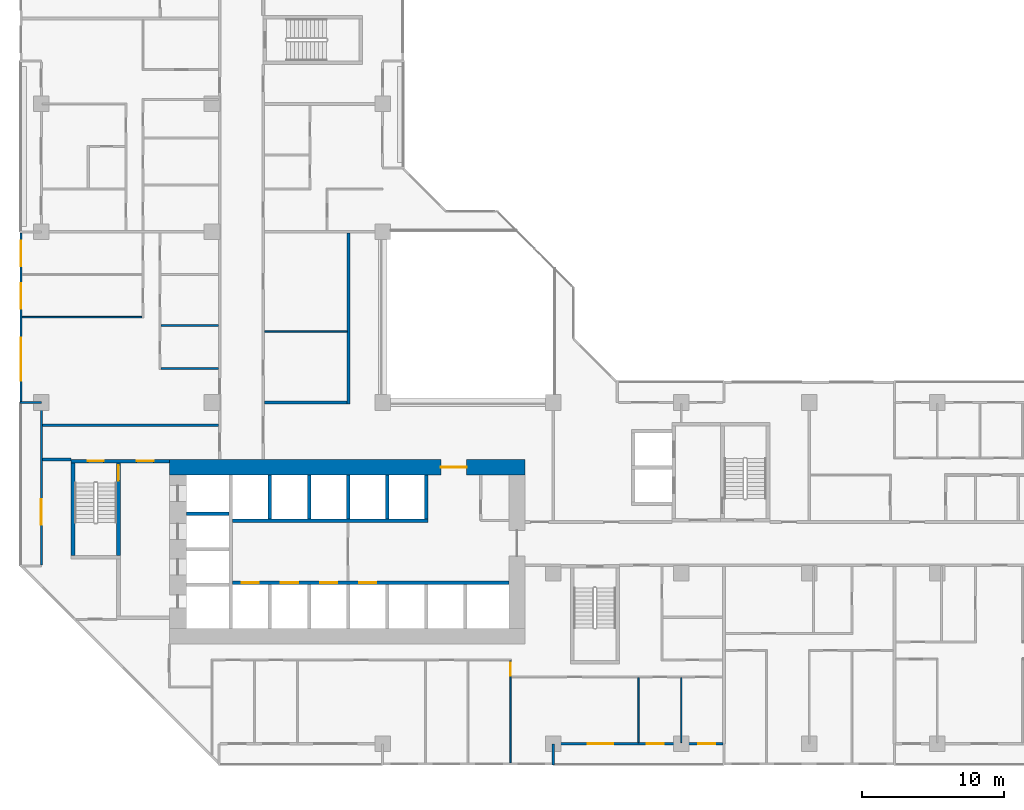
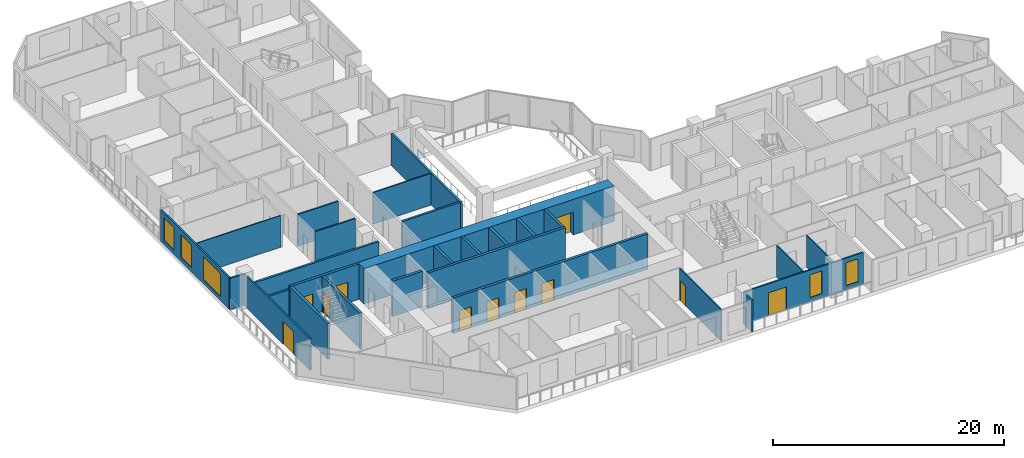
# One storey, part 5 of 15: 28 walls, 11 doors, 5 windows, 16 openings.
"""IFC4 building model written with IfcOpenShell, lengths in metres."""

import ifcopenshell
import ifcopenshell.guid

model = None  # the IFC model being written
_history = None  # IfcOwnerHistory: only IFC2X3 demands one
_inside = {}  # id of a spatial element -> (the spatial element, [elements in it])
_under = {}  # id of a project, library or spatial element -> (it, [spatial elements below it])
_declared = {}  # id of a project -> (the project, [libraries it declares])
_typed = {}  # id of a type object -> (the type object, [elements of that type])
_made_of = {}  # id of a material, layer set ... -> (it, [elements and type objects made of it])


def new_model(schema):
    """Start an empty IFC model of exactly this schema.

    Asked for "IFC4X3", IfcOpenShell would pick the latest addendum, in which some entities
    have other attributes; the version numbers below select the first issue.
    IFC2X3 requires an IfcOwnerHistory on every rooted entity: one is made here for all.
    """
    global model, _history
    if schema == "IFC4X3":
        model = ifcopenshell.file(schema_version=(4, 3, 0, 0))
    else:
        model = ifcopenshell.file(schema=schema)
    _inside.clear()
    _under.clear()
    _declared.clear()
    _typed.clear()
    _made_of.clear()
    _history = None
    if model.schema == "IFC2X3":
        org = make("IfcOrganization", Name="unknown")
        user = make(
            "IfcPersonAndOrganization",
            ThePerson=make("IfcPerson", FamilyName="unknown"),
            TheOrganization=org,
        )
        app = make(
            "IfcApplication",
            ApplicationDeveloper=org,
            Version="unknown",
            ApplicationFullName="unknown",
            ApplicationIdentifier="unknown",
        )
        _history = make(
            "IfcOwnerHistory",
            OwningUser=user,
            OwningApplication=app,
            ChangeAction="ADDED",
            CreationDate=0,
        )
    return model


def make(cls, **values):
    """One entity of the class cls with the attributes given. An attribute that is None is left unset."""
    return model.create_entity(
        cls, **{name: value for name, value in values.items() if value is not None}
    )


def rooted(cls, **values):
    """An entity with a GlobalId (a new one), such as an element, a storey or a relation."""
    return make(cls, GlobalId=ifcopenshell.guid.new(), OwnerHistory=_history, **values)


def si_unit(unit_type, name, prefix=None):
    """IfcSIUnit, for example si_unit("LENGTHUNIT", "METRE", prefix="MILLI")."""
    return make("IfcSIUnit", UnitType=unit_type, Prefix=prefix, Name=name)


def assignment(units):
    """IfcUnitAssignment: the units of a project."""
    return None if units is None else make("IfcUnitAssignment", Units=units)


def point(xyz):
    """IfcCartesianPoint."""
    return None if xyz is None else make("IfcCartesianPoint", Coordinates=xyz)


def direction(xyz):
    """IfcDirection."""
    return None if xyz is None else make("IfcDirection", DirectionRatios=xyz)


def frame(location, z_axis=None, x_axis=None):
    """IfcAxis2Placement3D, a coordinate frame: its origin and axes. An axis left out is left unset."""
    return make(
        "IfcAxis2Placement3D",
        Location=point(location),
        Axis=direction(z_axis),
        RefDirection=direction(x_axis),
    )


def frame_2d(location, x_axis=None):
    """IfcAxis2Placement2D, a coordinate frame in the plane: its origin and x axis."""
    return make(
        "IfcAxis2Placement2D", Location=point(location), RefDirection=direction(x_axis)
    )


def origin():
    """The frame at (0, 0, 0) with its axes left unset."""
    return frame((0.0, 0.0, 0.0))


def place(relative_to, where):
    """IfcLocalPlacement: puts the frame where relative to a parent placement (None: the world)."""
    return make(
        "IfcLocalPlacement", PlacementRelTo=relative_to, RelativePlacement=where
    )


def context(
    kind, dimensions, precision=None, world=None, true_north=None, identifier=None
):
    """IfcGeometricRepresentationContext, for example the 3D "Model" context."""
    return make(
        "IfcGeometricRepresentationContext",
        ContextIdentifier=identifier,
        ContextType=kind,
        CoordinateSpaceDimension=dimensions,
        Precision=precision,
        WorldCoordinateSystem=world,
        TrueNorth=true_north,
    )


def subcontext(parent, identifier, kind, view, scale=None):
    """IfcGeometricRepresentationSubContext, for example "Body" below "Model"."""
    return make(
        "IfcGeometricRepresentationSubContext",
        ContextIdentifier=identifier,
        ContextType=kind,
        ParentContext=parent,
        TargetScale=scale,
        TargetView=view,
    )


def project(units=None, contexts=None):
    """IfcProject with its units and contexts."""
    return rooted(
        "IfcProject",
        Name="project",
        RepresentationContexts=contexts,
        UnitsInContext=assignment(units),
    )


def spatial(cls, under=None, at=None, **own):
    """A site, building, storey or space (cls), placed at a placement, below another one or the project."""
    s = rooted(cls, ObjectPlacement=at, **own)
    if under is not None:
        _under.setdefault(under.id(), (under, []))[1].append(s)
    return s


def profile(cls, at=None, kind="AREA", **sizes):
    """A parametric profile (cls). Its sizes go by their IFC names, for example OverallWidth=200.0."""
    return make(cls, ProfileType=kind, Position=at, **sizes)


def rectangle(**sizes):
    """IfcRectangleProfileDef."""
    return profile("IfcRectangleProfileDef", **sizes)


def extrude(swept, where, along, depth):
    """IfcExtrudedAreaSolid: the profile swept, set in the frame where, extruded along a direction by depth."""
    return make(
        "IfcExtrudedAreaSolid",
        SweptArea=swept,
        Position=where,
        ExtrudedDirection=direction(along),
        Depth=depth,
    )


def shape(context_of_items, identifier, shape_type, items):
    """IfcShapeRepresentation: the items that make up one representation, for example the "Body"."""
    return make(
        "IfcShapeRepresentation",
        ContextOfItems=context_of_items,
        RepresentationIdentifier=identifier,
        RepresentationType=shape_type,
        Items=items,
    )


def material(Name=None, Category=None):
    """IfcMaterial."""
    return make("IfcMaterial", Name=Name, Category=Category)


def layer(
    of_material, thickness, ventilated=None, Name=None, Category=None, Priority=None
):
    """IfcMaterialLayer: one layer of a wall or slab, of a material (None: an air gap)."""
    return make(
        "IfcMaterialLayer",
        Material=of_material,
        LayerThickness=thickness,
        IsVentilated=ventilated,
        Name=Name,
        Category=Category,
        Priority=Priority,
    )


def layer_set(layers, Name=None):
    """IfcMaterialLayerSet."""
    return make("IfcMaterialLayerSet", MaterialLayers=layers, LayerSetName=Name)


def made_of(thing, what):
    """Note that an element or type object is made of a material, layer set ...; save() writes the relation."""
    if what is not None:
        _made_of.setdefault(what.id(), (what, []))[1].append(thing)
    return thing


def type_object(cls, material=None, **own):
    """A type object (cls), such as IfcWallType, which elements share."""
    return made_of(rooted(cls, **own), material)


def element(
    cls,
    number,
    at=None,
    inside=None,
    cuts=None,
    type_object=None,
    material=None,
    context=None,
    identifier="Body",
    shape_type=None,
    held_by="IfcProductDefinitionShape",
    body=None,
    shapes=None,
    **own,
):
    """One element of the class cls, such as IfcWall. Its Tag is "e" and its number.

    at: its placement. inside: the storey or other place that contains it. cuts: it is an
    opening in that element (IfcRelVoidsElement). A single representation is given by context,
    identifier, shape_type and body (its items); several are given by shapes. held_by: the class
    of the entity that holds the representations. save() writes the other relations.
    """
    e = rooted(cls, Tag="e%d" % number, ObjectPlacement=at, **own)
    if body is not None:
        shapes = [shape(context, identifier, shape_type, body)]
    if shapes is not None:
        e.Representation = make(held_by, Representations=shapes)
    if inside is not None:
        _inside.setdefault(inside.id(), (inside, []))[1].append(e)
    if cuts is not None:
        rooted(
            "IfcRelVoidsElement", RelatingBuildingElement=cuts, RelatedOpeningElement=e
        )
    if type_object is not None:
        _typed.setdefault(type_object.id(), (type_object, []))[1].append(e)
    return made_of(e, material)


def fill(opening, filler):
    """IfcRelFillsElement: the door or window that sits in an opening."""
    return rooted(
        "IfcRelFillsElement",
        RelatingOpeningElement=opening,
        RelatedBuildingElement=filler,
    )


def aggregate(whole, parts):
    """IfcRelAggregates: a whole, such as a stair, and the parts it consists of."""
    return rooted("IfcRelAggregates", RelatingObject=whole, RelatedObjects=parts)


def save(model, path):
    """Write the relations noted so far, then the file.

    IfcRelAggregates (storeys below a building ...), IfcRelContainedInSpatialStructure (elements
    in a storey), IfcRelDefinesByType, IfcRelAssociatesMaterial and IfcRelDeclares: one each for
    every whole, place, type object, material and project.
    """
    for whole, parts in _under.values():
        aggregate(whole, parts)
    for where, things in _inside.values():
        rooted(
            "IfcRelContainedInSpatialStructure",
            RelatedElements=things,
            RelatingStructure=where,
        )
    for kind, things in _typed.values():
        rooted("IfcRelDefinesByType", RelatedObjects=things, RelatingType=kind)
    for what, things in _made_of.values():
        rooted("IfcRelAssociatesMaterial", RelatedObjects=things, RelatingMaterial=what)
    for by, libraries in _declared.values():
        rooted("IfcRelDeclares", RelatingContext=by, RelatedDefinitions=libraries)
    model.write(path)


model = new_model("IFC4")

# Units and contexts
model_context = context("Model", 3, precision=1e-05, world=origin(), true_north=direction((0.0, 1.0)))
body_context = subcontext(model_context, "Body", "Model", "MODEL_VIEW")
ifc_project = project(units=[si_unit("LENGTHUNIT", "METRE"), si_unit("AREAUNIT", "SQUARE_METRE"), si_unit("VOLUMEUNIT", "CUBIC_METRE"), si_unit("PLANEANGLEUNIT", "RADIAN"), si_unit("MASSUNIT", "GRAM", prefix="KILO")], contexts=[model_context])

# Site, building, storey
site_placement = place(None, origin())
site = spatial("IfcSite", under=ifc_project, at=site_placement, CompositionType="ELEMENT")
building_placement = place(site_placement, origin())
building = spatial("IfcBuilding", under=site, at=building_placement, Name="Chenar Terraces", CompositionType="ELEMENT")
storey_placement = place(building_placement, frame((0.0, 0.0, 45.14990234375)))
storey = spatial("IfcBuildingStorey", under=building, at=storey_placement, Name="L08", CompositionType="ELEMENT", Elevation=45.14990234375)

# Wall, opening, door
ifc_material_1 = material(Name="Concrete C70/85", Category="concrete")
ifc_layer_1 = layer(ifc_material_1, 1.10009765625)
ifc_layer_set_1 = layer_set([ifc_layer_1], Name="Concrete C70/85")
wall_type_1 = type_object("IfcWallType", Name="Core wall 1100 Concrete C70/85", PredefinedType="SHEAR", material=ifc_layer_set_1)
wall_1_placement = place(storey_placement, frame((9.0, 19.449951171875, 0.0), z_axis=(0.0, 0.0, 1.0), x_axis=(1.0, 0.0, 0.0)))
wall_1 = element("IfcWall", 1, at=wall_1_placement, inside=storey, type_object=wall_type_1, Name="Core wall N L08", PredefinedType="SHEAR", context=body_context, shape_type="SweptSolid", body=[
    extrude(rectangle(XDim=25.0, YDim=1.10009765625, at=frame_2d((12.5, 0.0))), origin(), (0.0, 0.0, 1.0), 3.75),
])
opening_1_placement = place(wall_1_placement, frame((19.10009765625, 0.0, 0.0)))
opening_1 = element("IfcOpeningElement", 2, at=opening_1_placement, cuts=wall_1, Name="Opening DL08-C2", PredefinedType="OPENING", context=body_context, shape_type="SweptSolid", body=[
    extrude(rectangle(XDim=1.800048828125, YDim=2.39990234375, at=frame_2d((0.89990234375, 1.199951171875))), frame((0.0, 0.56005859375, 0.0), z_axis=(0.0, -1.0, 0.0), x_axis=(1.0, 0.0, 0.0)), (0.0, 0.0, 1.0), 1.1201171875),
])
ifc_material_2 = material(Name="Steel-framed fire-resisting door leaf", Category="steel")
door_type_1 = type_object("IfcDoorType", Name="Core entrance double fire door FD60 1800 x 2400", OperationType="DOUBLE_DOOR_SINGLE_SWING", PredefinedType="DOOR", material=ifc_material_2)
door_1_placement = place(opening_1_placement, frame((1.800048828125, 0.0, 0.0), z_axis=(0.0, 0.0, 1.0), x_axis=(-1.0, 0.0, 0.0)))
door_1 = element("IfcDoor", 3, at=door_1_placement, inside=storey, type_object=door_type_1, Name="Core door DL08-C2", OperationType="DOUBLE_DOOR_SINGLE_SWING", OverallHeight=2.39990234375, OverallWidth=1.800048828125, PredefinedType="DOOR", context=body_context, shape_type="SweptSolid", body=[
    extrude(rectangle(XDim=1.800048828125, YDim=2.39990234375, at=frame_2d((0.89990234375, 1.199951171875))), frame((0.0, 0.02490234375, 0.0), z_axis=(0.0, -1.0, 0.0), x_axis=(1.0, 0.0, 0.0)), (0.0, 0.0, 1.0), 0.050048828125),
])
fill(opening_1, door_1)

# Wall, openings, doors
ifc_material_3 = material(Name="Concrete C70/85", Category="concrete")
ifc_layer_2 = layer(ifc_material_3, 0.25)
ifc_layer_set_2 = layer_set([ifc_layer_2], Name="Concrete C70/85")
wall_type_2 = type_object("IfcWallType", Name="Core wall 250 Concrete C70/85", PredefinedType="SHEAR", material=ifc_layer_set_2)
wall_2_placement = place(storey_placement, frame((13.449951171875, 11.324951171875, 0.0), z_axis=(0.0, 0.0, 1.0), x_axis=(1.0, 0.0, 0.0)))
wall_2 = element("IfcWall", 4, at=wall_2_placement, inside=storey, type_object=wall_type_2, Name="Core wall SF L08", PredefinedType="SHEAR", context=body_context, shape_type="SweptSolid", body=[
    extrude(rectangle(XDim=19.449951171875, YDim=0.25, at=frame_2d((9.72509765625, 0.0))), origin(), (0.0, 0.0, 1.0), 3.75),
])
opening_2_placement = place(wall_2_placement, frame((0.64990234375, 0.0, 0.0)))
opening_2 = element("IfcOpeningElement", 5, at=opening_2_placement, cuts=wall_2, Name="Opening DL08-LD1", PredefinedType="OPENING", context=body_context, shape_type="SweptSolid", body=[
    extrude(rectangle(XDim=1.199951171875, YDim=2.199951171875, at=frame_2d((0.60009765625, 1.10009765625))), frame((0.0, 0.135009765625, 0.0), z_axis=(0.0, -1.0, 0.0), x_axis=(1.0, 0.0, 0.0)), (0.0, 0.0, 1.0), 0.27001953125),
])
opening_3_placement = place(wall_2_placement, frame((3.39990234375, 0.0, 0.0)))
opening_3 = element("IfcOpeningElement", 6, at=opening_3_placement, cuts=wall_2, Name="Opening DL08-LD2", PredefinedType="OPENING", context=body_context, shape_type="SweptSolid", body=[
    extrude(rectangle(XDim=1.199951171875, YDim=2.199951171875, at=frame_2d((0.60009765625, 1.10009765625))), frame((0.0, 0.135009765625, 0.0), z_axis=(0.0, -1.0, 0.0), x_axis=(1.0, 0.0, 0.0)), (0.0, 0.0, 1.0), 0.27001953125),
])
opening_4_placement = place(wall_2_placement, frame((6.14990234375, 0.0, 0.0)))
opening_4 = element("IfcOpeningElement", 7, at=opening_4_placement, cuts=wall_2, Name="Opening DL08-LD3", PredefinedType="OPENING", context=body_context, shape_type="SweptSolid", body=[
    extrude(rectangle(XDim=1.199951171875, YDim=2.199951171875, at=frame_2d((0.60009765625, 1.10009765625))), frame((0.0, 0.135009765625, 0.0), z_axis=(0.0, -1.0, 0.0), x_axis=(1.0, 0.0, 0.0)), (0.0, 0.0, 1.0), 0.27001953125),
])
opening_5_placement = place(wall_2_placement, frame((8.89990234375, 0.0, 0.0)))
opening_5 = element("IfcOpeningElement", 8, at=opening_5_placement, cuts=wall_2, Name="Opening DL08-LD4", PredefinedType="OPENING", context=body_context, shape_type="SweptSolid", body=[
    extrude(rectangle(XDim=1.199951171875, YDim=2.199951171875, at=frame_2d((0.60009765625, 1.10009765625))), frame((0.0, 0.135009765625, 0.0), z_axis=(0.0, -1.0, 0.0), x_axis=(1.0, 0.0, 0.0)), (0.0, 0.0, 1.0), 0.27001953125),
])
ifc_material_4 = material(Name="Stainless steel", Category="steel")
door_type_2 = type_object("IfcDoorType", Name="Lift landing door 1200 x 2200 sliding", OperationType="DOUBLE_DOOR_SLIDING", PredefinedType="DOOR", material=ifc_material_4)
door_2_placement = place(opening_2_placement, origin())
door_2 = element("IfcDoor", 9, at=door_2_placement, inside=storey, type_object=door_type_2, Name="Landing door L1", OperationType="DOUBLE_DOOR_SLIDING", OverallHeight=2.199951171875, OverallWidth=1.199951171875, PredefinedType="DOOR", context=body_context, shape_type="SweptSolid", body=[
    extrude(rectangle(XDim=1.199951171875, YDim=2.199951171875, at=frame_2d((0.60009765625, 1.10009765625))), frame((0.0, 0.02490234375, 0.0), z_axis=(0.0, -1.0, 0.0), x_axis=(1.0, 0.0, 0.0)), (0.0, 0.0, 1.0), 0.050048828125),
])
fill(opening_2, door_2)
door_3_placement = place(opening_3_placement, origin())
door_3 = element("IfcDoor", 10, at=door_3_placement, inside=storey, type_object=door_type_2, Name="Landing door L2", OperationType="DOUBLE_DOOR_SLIDING", OverallHeight=2.199951171875, OverallWidth=1.199951171875, PredefinedType="DOOR", context=body_context, shape_type="SweptSolid", body=[
    extrude(rectangle(XDim=1.199951171875, YDim=2.199951171875, at=frame_2d((0.60009765625, 1.10009765625))), frame((0.0, 0.02490234375, 0.0), z_axis=(0.0, -1.0, 0.0), x_axis=(1.0, 0.0, 0.0)), (0.0, 0.0, 1.0), 0.050048828125),
])
fill(opening_3, door_3)
door_4_placement = place(opening_4_placement, origin())
door_4 = element("IfcDoor", 11, at=door_4_placement, inside=storey, type_object=door_type_2, Name="Landing door L3", OperationType="DOUBLE_DOOR_SLIDING", OverallHeight=2.199951171875, OverallWidth=1.199951171875, PredefinedType="DOOR", context=body_context, shape_type="SweptSolid", body=[
    extrude(rectangle(XDim=1.199951171875, YDim=2.199951171875, at=frame_2d((0.60009765625, 1.10009765625))), frame((0.0, 0.02490234375, 0.0), z_axis=(0.0, -1.0, 0.0), x_axis=(1.0, 0.0, 0.0)), (0.0, 0.0, 1.0), 0.050048828125),
])
fill(opening_4, door_4)
door_5_placement = place(opening_5_placement, origin())
door_5 = element("IfcDoor", 12, at=door_5_placement, inside=storey, type_object=door_type_2, Name="Landing door L4", OperationType="DOUBLE_DOOR_SLIDING", OverallHeight=2.199951171875, OverallWidth=1.199951171875, PredefinedType="DOOR", context=body_context, shape_type="SweptSolid", body=[
    extrude(rectangle(XDim=1.199951171875, YDim=2.199951171875, at=frame_2d((0.60009765625, 1.10009765625))), frame((0.0, 0.02490234375, 0.0), z_axis=(0.0, -1.0, 0.0), x_axis=(1.0, 0.0, 0.0)), (0.0, 0.0, 1.0), 0.050048828125),
])
fill(opening_5, door_5)

# Walls
wall_3_placement = place(storey_placement, frame((13.449951171875, 15.675048828125, 0.0), z_axis=(0.0, 0.0, 1.0), x_axis=(1.0, 0.0, 0.0)))
element("IfcWall", 13, at=wall_3_placement, inside=storey, type_object=wall_type_2, Name="Core wall NF L08", PredefinedType="SHEAR", context=body_context, shape_type="SweptSolid", body=[
    extrude(rectangle(XDim=13.75, YDim=0.25, at=frame_2d((6.875, 0.0))), origin(), (0.0, 0.0, 1.0), 3.75),
])
wall_4_placement = place(storey_placement, frame((10.199951171875, 16.175048828125, 0.0), z_axis=(0.0, 0.0, 1.0), x_axis=(1.0, 0.0, 0.0)))
element("IfcWall", 14, at=wall_4_placement, inside=storey, type_object=wall_type_2, Name="Core wall HW2 L08", PredefinedType="SHEAR", context=body_context, shape_type="SweptSolid", body=[
    extrude(rectangle(XDim=3.0, YDim=0.25, at=frame_2d((1.5, 0.0))), origin(), (0.0, 0.0, 1.0), 3.75),
])
for number, where, z_axis, x_axis, name in (
    (15, (16.074951171875, 15.800048828125, 0.0), (0.0, 0.0, 1.0), (0.0, 1.0, 0.0), "Core wall NS0 L08"),
    (16, (18.824951171875, 15.800048828125, 0.0), (0.0, 0.0, 1.0), (0.0, 1.0, 0.0), "Core wall NS1 L08"),
    (17, (21.574951171875, 15.800048828125, 0.0), (0.0, 0.0, 1.0), (0.0, 1.0, 0.0), "Core wall NS2 L08"),
    (18, (24.324951171875, 15.800048828125, 0.0), (0.0, 0.0, 1.0), (0.0, 1.0, 0.0), "Core wall NS3 L08"),
    (19, (27.074951171875, 15.800048828125, 0.0), (0.0, 0.0, 1.0), (0.0, 1.0, 0.0), "Core wall NE L08"),
):
    element("IfcWall", number, at=place(storey_placement, frame(where, z_axis=z_axis, x_axis=x_axis)), inside=storey, type_object=wall_type_2, Name=name, PredefinedType="SHEAR", context=body_context, shape_type="SweptSolid", body=[
        extrude(rectangle(XDim=3.099853515625, YDim=0.25, at=frame_2d((1.5498046875, 0.0))), origin(), (0.0, 0.0, 1.0), 3.75),
    ])

# Wall, openings, doors
wall_5_placement = place(storey_placement, frame((2.10009765625, 19.875, 0.0), z_axis=(0.0, 0.0, 1.0), x_axis=(1.0, 0.0, 0.0)))
wall_5 = element("IfcWall", 20, at=wall_5_placement, inside=storey, type_object=wall_type_2, Name="Core wall A_N L08", PredefinedType="SHEAR", context=body_context, shape_type="SweptSolid", body=[
    extrude(rectangle(XDim=6.89990234375, YDim=0.25, at=frame_2d((3.449951171875, 0.0))), origin(), (0.0, 0.0, 1.0), 3.75),
])
opening_6_placement = place(wall_5_placement, frame((1.175048828125, 0.0, 0.0)))
opening_6 = element("IfcOpeningElement", 21, at=opening_6_placement, cuts=wall_5, Name="Opening DL08-C5", PredefinedType="OPENING", context=body_context, shape_type="SweptSolid", body=[
    extrude(rectangle(XDim=1.10009765625, YDim=2.199951171875, at=frame_2d((0.550048828125, 1.10009765625))), frame((0.0, 0.135009765625, 0.0), z_axis=(0.0, -1.0, 0.0), x_axis=(1.0, 0.0, 0.0)), (0.0, 0.0, 1.0), 0.27001953125),
])
opening_7_placement = place(wall_5_placement, frame((4.60009765625, 0.0, 0.0)))
opening_7 = element("IfcOpeningElement", 22, at=opening_7_placement, cuts=wall_5, Name="Opening DL08-C6", PredefinedType="OPENING", context=body_context, shape_type="SweptSolid", body=[
    extrude(rectangle(XDim=1.199951171875, YDim=2.199951171875, at=frame_2d((0.60009765625, 1.10009765625))), frame((0.0, 0.135009765625, 0.0), z_axis=(0.0, -1.0, 0.0), x_axis=(1.0, 0.0, 0.0)), (0.0, 0.0, 1.0), 0.27001953125),
])
ifc_material_5 = material(Name="Steel-framed fire-resisting door leaf", Category="steel")
door_type_3 = type_object("IfcDoorType", Name="Lobby fire door FD60 1200 x 2200", OperationType="SINGLE_SWING_LEFT", PredefinedType="DOOR", material=ifc_material_5)
door_6_placement = place(opening_7_placement, frame((1.199951171875, 0.0, 0.0), z_axis=(0.0, 0.0, 1.0), x_axis=(-1.0, 0.0, 0.0)))
door_6 = element("IfcDoor", 23, at=door_6_placement, inside=storey, type_object=door_type_3, Name="Core door DL08-C6", OperationType="SINGLE_SWING_LEFT", OverallHeight=2.199951171875, OverallWidth=1.199951171875, PredefinedType="DOOR", context=body_context, shape_type="SweptSolid", body=[
    extrude(rectangle(XDim=1.199951171875, YDim=2.199951171875, at=frame_2d((0.60009765625, 1.10009765625))), frame((0.0, 0.02490234375, 0.0), z_axis=(0.0, -1.0, 0.0), x_axis=(1.0, 0.0, 0.0)), (0.0, 0.0, 1.0), 0.050048828125),
])
fill(opening_7, door_6)
ifc_material_6 = material(Name="Steel-framed fire-resisting door leaf", Category="steel")
door_type_4 = type_object("IfcDoorType", Name="Stair fire door FD60 1100 x 2200", OperationType="SINGLE_SWING_LEFT", PredefinedType="DOOR", material=ifc_material_6)
door_7_placement = place(opening_6_placement, origin())
door_7 = element("IfcDoor", 24, at=door_7_placement, inside=storey, type_object=door_type_4, Name="Stair door DL08-C5", OperationType="SINGLE_SWING_LEFT", OverallHeight=2.199951171875, OverallWidth=1.10009765625, PredefinedType="DOOR", context=body_context, shape_type="SweptSolid", body=[
    extrude(rectangle(XDim=1.10009765625, YDim=2.199951171875, at=frame_2d((0.550048828125, 1.10009765625))), frame((0.0, 0.02490234375, 0.0), z_axis=(0.0, -1.0, 0.0), x_axis=(1.0, 0.0, 0.0)), (0.0, 0.0, 1.0), 0.050048828125),
])
fill(opening_6, door_7)

# Wall
wall_6_placement = place(storey_placement, frame((2.22509765625, 13.25, 0.0), z_axis=(0.0, 0.0, 1.0), x_axis=(0.0, 1.0, 0.0)))
element("IfcWall", 25, at=wall_6_placement, inside=storey, type_object=wall_type_2, Name="Core wall ST1_W L08", PredefinedType="SHEAR", context=body_context, shape_type="SweptSolid", body=[
    extrude(rectangle(XDim=6.5, YDim=0.25, at=frame_2d((3.25, 0.0))), origin(), (0.0, 0.0, 1.0), 3.75),
])

# Wall, opening, door
wall_7_placement = place(storey_placement, frame((5.425048828125, 13.25, 0.0), z_axis=(0.0, 0.0, 1.0), x_axis=(0.0, 1.0, 0.0)))
wall_7 = element("IfcWall", 26, at=wall_7_placement, inside=storey, type_object=wall_type_2, Name="Core wall ST1_E L08", PredefinedType="SHEAR", context=body_context, shape_type="SweptSolid", body=[
    extrude(rectangle(XDim=6.5, YDim=0.25, at=frame_2d((3.25, 0.0))), origin(), (0.0, 0.0, 1.0), 3.75),
])
opening_8_placement = place(wall_7_placement, frame((5.25, 0.0, 0.0)))
opening_8 = element("IfcOpeningElement", 27, at=opening_8_placement, cuts=wall_7, Name="Opening DL08-C3", PredefinedType="OPENING", context=body_context, shape_type="SweptSolid", body=[
    extrude(rectangle(XDim=1.10009765625, YDim=2.199951171875, at=frame_2d((0.550048828125, 1.10009765625))), frame((0.0, 0.135009765625, 0.0), z_axis=(0.0, -1.0, 0.0), x_axis=(1.0, 0.0, 0.0)), (0.0, 0.0, 1.0), 0.27001953125),
])
door_8_placement = place(opening_8_placement, origin())
door_8 = element("IfcDoor", 28, at=door_8_placement, inside=storey, type_object=door_type_4, Name="Stair door DL08-C3", OperationType="SINGLE_SWING_RIGHT", OverallHeight=2.199951171875, OverallWidth=1.10009765625, PredefinedType="DOOR", context=body_context, shape_type="SweptSolid", body=[
    extrude(rectangle(XDim=1.10009765625, YDim=2.199951171875, at=frame_2d((0.550048828125, 1.10009765625))), frame((0.0, 0.02490234375, 0.0), z_axis=(0.0, -1.0, 0.0), x_axis=(1.0, 0.0, 0.0)), (0.0, 0.0, 1.0), 0.050048828125),
])
fill(opening_8, door_8)

# Walls
ifc_material_7 = material(Name="Gypsum board on steel studs with fire boards", Category="steel")
ifc_layer_3 = layer(ifc_material_7, 0.199951171875)
ifc_layer_set_3 = layer_set([ifc_layer_3], Name="Gypsum board on steel studs with fire boards")
wall_type_3 = type_object("IfcWallType", Name="Corridor wall 200", PredefinedType="PARTITIONING", material=ifc_layer_set_3)
wall_8_placement = place(storey_placement, frame((0.073974609375, 20.0, 0.0), z_axis=(0.0, 0.0, 1.0), x_axis=(1.0, 0.0, 0.0)))
element("IfcWall", 29, at=wall_8_placement, inside=storey, type_object=wall_type_3, Name="Partition L08-007", PredefinedType="PARTITIONING", context=body_context, shape_type="SweptSolid", body=[
    extrude(rectangle(XDim=2.026123046875, YDim=0.199951171875, at=frame_2d((1.01318359375, 0.0))), origin(), (0.0, 0.0, 1.0), 3.35009765625),
])
wall_9_placement = place(storey_placement, frame((0.073974609375, 22.39990234375, 0.0), z_axis=(0.0, 0.0, 1.0), x_axis=(1.0, 0.0, 0.0)))
element("IfcWall", 30, at=wall_9_placement, inside=storey, type_object=wall_type_3, Name="Partition L08-008", PredefinedType="PARTITIONING", context=body_context, shape_type="SweptSolid", body=[
    extrude(rectangle(XDim=12.3759765625, YDim=0.199951171875, at=frame_2d((6.18798828125, 0.0))), origin(), (0.0, 0.0, 1.0), 3.35009765625),
])
wall_10_placement = place(storey_placement, frame((15.699951171875, 24.0, 0.0), z_axis=(0.0, 0.0, 1.0), x_axis=(1.0, 0.0, 0.0)))
element("IfcWall", 31, at=wall_10_placement, inside=storey, type_object=wall_type_3, Name="Partition L08-040", PredefinedType="PARTITIONING", context=body_context, shape_type="SweptSolid", body=[
    extrude(rectangle(XDim=5.800048828125, YDim=0.199951171875, at=frame_2d((2.89990234375, 0.0))), origin(), (0.0, 0.0, 1.0), 3.35009765625),
])
wall_11_placement = place(storey_placement, frame((21.60009765625, 23.89990234375, 0.0), z_axis=(0.0, 0.0, 1.0), x_axis=(0.0, 1.0, 0.0)))
element("IfcWall", 32, at=wall_11_placement, inside=storey, type_object=wall_type_3, Name="Partition L08-056", PredefinedType="PARTITIONING", context=body_context, shape_type="SweptSolid", body=[
    extrude(rectangle(XDim=12.0, YDim=0.199951171875, at=frame_2d((6.0, 0.0))), origin(), (0.0, 0.0, 1.0), 3.35009765625),
])

# Wall, openings, windows
ifc_material_8 = material(Name="Aluminium framed glazing", Category="aluminium")
ifc_layer_4 = layer(ifc_material_8, 0.14990234375)
ifc_layer_set_4 = layer_set([ifc_layer_4], Name="Aluminium framed glazing")
wall_type_4 = type_object("IfcWallType", Name="Glazed flush facade wall 150", PredefinedType="SOLIDWALL", material=ifc_layer_set_4)
wall_12_placement = place(storey_placement, frame((-1.425048828125, 35.925048828125, 0.0), z_axis=(0.0, 0.0, 1.0), x_axis=(0.0, -1.0, 0.0)))
wall_12 = element("IfcWall", 33, at=wall_12_placement, inside=storey, type_object=wall_type_4, Name="Glazed flush facade wall", PredefinedType="SOLIDWALL", context=body_context, shape_type="SweptSolid", body=[
    extrude(rectangle(XDim=11.85009765625, YDim=0.14990234375, at=frame_2d((5.925048828125, 0.0))), origin(), (0.0, 0.0, 1.0), 3.35009765625),
])
opening_9_placement = place(wall_12_placement, frame((0.5625, 0.0, 0.449951171875)))
opening_9 = element("IfcOpeningElement", 34, at=opening_9_placement, cuts=wall_12, Name="Opening W180x240", PredefinedType="OPENING", context=body_context, shape_type="SweptSolid", body=[
    extrude(rectangle(XDim=1.800048828125, YDim=2.39990234375, at=frame_2d((0.89990234375, 1.199951171875))), frame((0.0, 0.0849609375, 0.0), z_axis=(0.0, -1.0, 0.0), x_axis=(1.0, 0.0, 0.0)), (0.0, 0.0, 1.0), 0.169921875),
])
opening_10_placement = place(wall_12_placement, frame((3.52490234375, 0.0, 0.449951171875)))
opening_10 = element("IfcOpeningElement", 35, at=opening_10_placement, cuts=wall_12, Name="Opening W180x240", PredefinedType="OPENING", context=body_context, shape_type="SweptSolid", body=[
    extrude(rectangle(XDim=1.800048828125, YDim=2.39990234375, at=frame_2d((0.89990234375, 1.199951171875))), frame((0.0, 0.0849609375, 0.0), z_axis=(0.0, -1.0, 0.0), x_axis=(1.0, 0.0, 0.0)), (0.0, 0.0, 1.0), 0.169921875),
])
opening_11_placement = place(wall_12_placement, frame((7.387451171875, 0.0, 0.449951171875)))
opening_11 = element("IfcOpeningElement", 36, at=opening_11_placement, cuts=wall_12, Name="Opening W300x240", PredefinedType="OPENING", context=body_context, shape_type="SweptSolid", body=[
    extrude(rectangle(XDim=3.0, YDim=2.39990234375, at=frame_2d((1.5, 1.199951171875))), frame((0.0, 0.0849609375, 0.0), z_axis=(0.0, -1.0, 0.0), x_axis=(1.0, 0.0, 0.0)), (0.0, 0.0, 1.0), 0.169921875),
])
ifc_material_9 = material(Name="Low emissivity double glazing, aluminium frame", Category="aluminium")
window_type_1 = type_object("IfcWindowType", Name="Fixed light 1800 x 2400", PartitioningType="SINGLE_PANEL", PredefinedType="WINDOW", material=ifc_material_9)
window_1_placement = place(opening_9_placement, origin())
window_1 = element("IfcWindow", 37, at=window_1_placement, inside=storey, type_object=window_type_1, Name="Window", OverallHeight=2.39990234375, OverallWidth=1.800048828125, PartitioningType="SINGLE_PANEL", PredefinedType="WINDOW", context=body_context, shape_type="SweptSolid", body=[
    extrude(rectangle(XDim=1.800048828125, YDim=2.39990234375, at=frame_2d((0.89990234375, 1.199951171875))), frame((0.0, 0.030029296875, 0.0), z_axis=(0.0, -1.0, 0.0), x_axis=(1.0, 0.0, 0.0)), (0.0, 0.0, 1.0), 0.06005859375),
])
fill(opening_9, window_1)
window_2_placement = place(opening_10_placement, origin())
window_2 = element("IfcWindow", 38, at=window_2_placement, inside=storey, type_object=window_type_1, Name="Window", OverallHeight=2.39990234375, OverallWidth=1.800048828125, PartitioningType="SINGLE_PANEL", PredefinedType="WINDOW", context=body_context, shape_type="SweptSolid", body=[
    extrude(rectangle(XDim=1.800048828125, YDim=2.39990234375, at=frame_2d((0.89990234375, 1.199951171875))), frame((0.0, 0.030029296875, 0.0), z_axis=(0.0, -1.0, 0.0), x_axis=(1.0, 0.0, 0.0)), (0.0, 0.0, 1.0), 0.06005859375),
])
fill(opening_10, window_2)
ifc_material_10 = material(Name="Low emissivity double glazing, aluminium frame", Category="aluminium")
window_type_2 = type_object("IfcWindowType", Name="Fixed light 3000 x 2400", PartitioningType="SINGLE_PANEL", PredefinedType="WINDOW", material=ifc_material_10)
window_3_placement = place(opening_11_placement, origin())
window_3 = element("IfcWindow", 39, at=window_3_placement, inside=storey, type_object=window_type_2, Name="Window", OverallHeight=2.39990234375, OverallWidth=3.0, PartitioningType="SINGLE_PANEL", PredefinedType="WINDOW", context=body_context, shape_type="SweptSolid", body=[
    extrude(rectangle(XDim=3.0, YDim=2.39990234375, at=frame_2d((1.5, 1.199951171875))), frame((0.0, 0.030029296875, 0.0), z_axis=(0.0, -1.0, 0.0), x_axis=(1.0, 0.0, 0.0)), (0.0, 0.0, 1.0), 0.06005859375),
])
fill(opening_11, window_3)

# Wall, opening, door
ifc_material_11 = material(Name="Aluminium framed glazing", Category="aluminium")
ifc_layer_5 = layer(ifc_material_11, 0.14990234375)
ifc_layer_set_5 = layer_set([ifc_layer_5], Name="Aluminium framed glazing")
wall_type_5 = type_object("IfcWallType", Name="Glazed loggia back wall 150", PredefinedType="SOLIDWALL", material=ifc_layer_set_5)
wall_13_placement = place(storey_placement, frame((0.0, 23.925048828125, 0.0), z_axis=(0.0, 0.0, 1.0), x_axis=(0.0, -1.0, 0.0)))
wall_13 = element("IfcWall", 40, at=wall_13_placement, inside=storey, type_object=wall_type_5, Name="Glazed loggia back wall", PredefinedType="SOLIDWALL", context=body_context, shape_type="SweptSolid", body=[
    extrude(rectangle(XDim=11.35009765625, YDim=0.14990234375, at=frame_2d((5.675048828125, 0.0))), origin(), (0.0, 0.0, 1.0), 3.35009765625),
])
opening_12_placement = place(wall_13_placement, frame((6.737548828125, 0.0, 0.0)))
opening_12 = element("IfcOpeningElement", 41, at=opening_12_placement, cuts=wall_13, Name="Opening DL08-G5", PredefinedType="OPENING", context=body_context, shape_type="SweptSolid", body=[
    extrude(rectangle(XDim=1.800048828125, YDim=2.39990234375, at=frame_2d((0.89990234375, 1.199951171875))), frame((0.0, 0.0849609375, 0.0), z_axis=(0.0, -1.0, 0.0), x_axis=(1.0, 0.0, 0.0)), (0.0, 0.0, 1.0), 0.169921875),
])
ifc_material_12 = material(Name="Low emissivity double glazing, aluminium frame", Category="aluminium")
door_type_5 = type_object("IfcDoorType", Name="Loggia glazed double door 1800 x 2400", OperationType="DOUBLE_DOOR_SINGLE_SWING", PredefinedType="DOOR", material=ifc_material_12)
door_9_placement = place(opening_12_placement, frame((1.800048828125, 0.0, 0.0), z_axis=(0.0, 0.0, 1.0), x_axis=(-1.0, 0.0, 0.0)))
door_9 = element("IfcDoor", 42, at=door_9_placement, inside=storey, type_object=door_type_5, Name="Loggia glazed door", OperationType="DOUBLE_DOOR_SINGLE_SWING", OverallHeight=2.39990234375, OverallWidth=1.800048828125, PredefinedType="DOOR", context=body_context, shape_type="SweptSolid", body=[
    extrude(rectangle(XDim=1.800048828125, YDim=2.39990234375, at=frame_2d((0.89990234375, 1.199951171875))), frame((0.0, 0.02490234375, 0.0), z_axis=(0.0, -1.0, 0.0), x_axis=(1.0, 0.0, 0.0)), (0.0, 0.0, 1.0), 0.050048828125),
])
fill(opening_12, door_9)

# Wall, openings, windows, door
wall_14_placement = place(storey_placement, frame((36.074951171875, 0.0, 0.0), z_axis=(0.0, 0.0, 1.0), x_axis=(1.0, 0.0, 0.0)))
wall_14 = element("IfcWall", 43, at=wall_14_placement, inside=storey, type_object=wall_type_5, Name="Glazed loggia back wall", PredefinedType="SOLIDWALL", context=body_context, shape_type="SweptSolid", body=[
    extrude(rectangle(XDim=11.85009765625, YDim=0.14990234375, at=frame_2d((5.925048828125, 0.0))), origin(), (0.0, 0.0, 1.0), 3.35009765625),
])
opening_13_placement = place(wall_14_placement, frame((2.35009765625, 0.0, 0.0)))
opening_13 = element("IfcOpeningElement", 44, at=opening_13_placement, cuts=wall_14, Name="Opening DL08-G7", PredefinedType="OPENING", context=body_context, shape_type="SweptSolid", body=[
    extrude(rectangle(XDim=1.800048828125, YDim=2.39990234375, at=frame_2d((0.89990234375, 1.199951171875))), frame((0.0, 0.0849609375, 0.0), z_axis=(0.0, -1.0, 0.0), x_axis=(1.0, 0.0, 0.0)), (0.0, 0.0, 1.0), 0.169921875),
])
opening_14_placement = place(wall_14_placement, frame((6.5, 0.0, 0.449951171875)))
opening_14 = element("IfcOpeningElement", 45, at=opening_14_placement, cuts=wall_14, Name="Opening W120x240", PredefinedType="OPENING", context=body_context, shape_type="SweptSolid", body=[
    extrude(rectangle(XDim=1.199951171875, YDim=2.39990234375, at=frame_2d((0.60009765625, 1.199951171875))), frame((0.0, 0.0849609375, 0.0), z_axis=(0.0, -1.0, 0.0), x_axis=(1.0, 0.0, 0.0)), (0.0, 0.0, 1.0), 0.169921875),
])
opening_15_placement = place(wall_14_placement, frame((10.112548828125, 0.0, 0.449951171875)))
opening_15 = element("IfcOpeningElement", 46, at=opening_15_placement, cuts=wall_14, Name="Opening W120x240", PredefinedType="OPENING", context=body_context, shape_type="SweptSolid", body=[
    extrude(rectangle(XDim=1.199951171875, YDim=2.39990234375, at=frame_2d((0.60009765625, 1.199951171875))), frame((0.0, 0.0849609375, 0.0), z_axis=(0.0, -1.0, 0.0), x_axis=(1.0, 0.0, 0.0)), (0.0, 0.0, 1.0), 0.169921875),
])
ifc_material_13 = material(Name="Low emissivity double glazing, aluminium frame", Category="aluminium")
window_type_3 = type_object("IfcWindowType", Name="Fixed light 1200 x 2400", PartitioningType="SINGLE_PANEL", PredefinedType="WINDOW", material=ifc_material_13)
window_4_placement = place(opening_14_placement, origin())
window_4 = element("IfcWindow", 47, at=window_4_placement, inside=storey, type_object=window_type_3, Name="Window", OverallHeight=2.39990234375, OverallWidth=1.199951171875, PartitioningType="SINGLE_PANEL", PredefinedType="WINDOW", context=body_context, shape_type="SweptSolid", body=[
    extrude(rectangle(XDim=1.199951171875, YDim=2.39990234375, at=frame_2d((0.60009765625, 1.199951171875))), frame((0.0, 0.030029296875, 0.0), z_axis=(0.0, -1.0, 0.0), x_axis=(1.0, 0.0, 0.0)), (0.0, 0.0, 1.0), 0.06005859375),
])
fill(opening_14, window_4)
window_5_placement = place(opening_15_placement, origin())
window_5 = element("IfcWindow", 48, at=window_5_placement, inside=storey, type_object=window_type_3, Name="Window", OverallHeight=2.39990234375, OverallWidth=1.199951171875, PartitioningType="SINGLE_PANEL", PredefinedType="WINDOW", context=body_context, shape_type="SweptSolid", body=[
    extrude(rectangle(XDim=1.199951171875, YDim=2.39990234375, at=frame_2d((0.60009765625, 1.199951171875))), frame((0.0, 0.030029296875, 0.0), z_axis=(0.0, -1.0, 0.0), x_axis=(1.0, 0.0, 0.0)), (0.0, 0.0, 1.0), 0.06005859375),
])
fill(opening_15, window_5)
door_10_placement = place(opening_13_placement, frame((1.800048828125, 0.0, 0.0), z_axis=(0.0, 0.0, 1.0), x_axis=(-1.0, 0.0, 0.0)))
door_10 = element("IfcDoor", 49, at=door_10_placement, inside=storey, type_object=door_type_5, Name="Loggia glazed door", OperationType="DOUBLE_DOOR_SINGLE_SWING", OverallHeight=2.39990234375, OverallWidth=1.800048828125, PredefinedType="DOOR", context=body_context, shape_type="SweptSolid", body=[
    extrude(rectangle(XDim=1.800048828125, YDim=2.39990234375, at=frame_2d((0.89990234375, 1.199951171875))), frame((0.0, 0.02490234375, 0.0), z_axis=(0.0, -1.0, 0.0), x_axis=(1.0, 0.0, 0.0)), (0.0, 0.0, 1.0), 0.050048828125),
])
fill(opening_13, door_10)

# Walls
ifc_material_14 = material(Name="Gypsum board on steel studs", Category="steel")
ifc_layer_6 = layer(ifc_material_14, 0.10009765625)
ifc_layer_set_6 = layer_set([ifc_layer_6], Name="Gypsum board on steel studs")
wall_type_6 = type_object("IfcWallType", Name="Gypsum partition 100", PredefinedType="PARTITIONING", material=ifc_layer_set_6)
wall_15_placement = place(storey_placement, frame((-1.35009765625, 30.0, 0.0), z_axis=(0.0, 0.0, 1.0), x_axis=(1.0, 0.0, 0.0)))
element("IfcWall", 50, at=wall_15_placement, inside=storey, type_object=wall_type_6, Name="Partition L08-003", PredefinedType="PARTITIONING", context=body_context, shape_type="SweptSolid", body=[
    extrude(rectangle(XDim=8.425048828125, YDim=0.10009765625, at=frame_2d((4.21240234375, 0.0))), origin(), (0.0, 0.0, 1.0), 3.35009765625),
])
wall_16_placement = place(storey_placement, frame((15.699951171875, 29.0, 0.0), z_axis=(0.0, 0.0, 1.0), x_axis=(1.0, 0.0, 0.0)))
element("IfcWall", 51, at=wall_16_placement, inside=storey, type_object=wall_type_6, Name="Partition L08-041", PredefinedType="PARTITIONING", context=body_context, shape_type="SweptSolid", body=[
    extrude(rectangle(XDim=5.800048828125, YDim=0.10009765625, at=frame_2d((2.89990234375, 0.0))), origin(), (0.0, 0.0, 1.0), 3.35009765625),
])

# Wall, opening, door
wall_17_placement = place(storey_placement, frame((33.0, -1.35009765625, 0.0), z_axis=(0.0, 0.0, 1.0), x_axis=(0.0, 1.0, 0.0)))
wall_17 = element("IfcWall", 52, at=wall_17_placement, inside=storey, type_object=wall_type_6, Name="Partition L08-059", PredefinedType="PARTITIONING", context=body_context, shape_type="SweptSolid", body=[
    extrude(rectangle(XDim=7.2001953125, YDim=0.10009765625, at=frame_2d((3.60009765625, 0.0))), origin(), (0.0, 0.0, 1.0), 3.35009765625),
])
opening_16_placement = place(wall_17_placement, frame((6.14990234375, 0.0, 0.0)))
opening_16 = element("IfcOpeningElement", 53, at=opening_16_placement, cuts=wall_17, Name="Opening DL08-56", PredefinedType="OPENING", context=body_context, shape_type="SweptSolid", body=[
    extrude(rectangle(XDim=0.89990234375, YDim=2.10009765625, at=frame_2d((0.449951171875, 1.050048828125))), frame((0.0, 0.06005859375, 0.0), z_axis=(0.0, -1.0, 0.0), x_axis=(1.0, 0.0, 0.0)), (0.0, 0.0, 1.0), 0.1201171875),
])
ifc_material_15 = material(Name="Veneered timber door leaf", Category="wood")
door_type_6 = type_object("IfcDoorType", Name="Door 900 x 2100", OperationType="SINGLE_SWING_LEFT", PredefinedType="DOOR", material=ifc_material_15)
door_11_placement = place(opening_16_placement, origin())
door_11 = element("IfcDoor", 54, at=door_11_placement, inside=storey, type_object=door_type_6, Name="Door DL08-56", OperationType="SINGLE_SWING_RIGHT", OverallHeight=2.10009765625, OverallWidth=0.89990234375, PredefinedType="DOOR", context=body_context, shape_type="SweptSolid", body=[
    extrude(rectangle(XDim=0.89990234375, YDim=2.10009765625, at=frame_2d((0.449951171875, 1.050048828125))), frame((0.0, 0.02490234375, 0.0), z_axis=(0.0, -1.0, 0.0), x_axis=(1.0, 0.0, 0.0)), (0.0, 0.0, 1.0), 0.050048828125),
])
fill(opening_16, door_11)

# Walls
for number, where, z_axis, x_axis, name in (
    (55, (42.0, 0.073974609375, 0.0), (0.0, 0.0, 1.0), (0.0, 1.0, 0.0), "Partition L08-065"),
    (56, (45.0, 0.073974609375, 0.0), (0.0, 0.0, 1.0), (0.0, 1.0, 0.0), "Partition L08-069"),
):
    element("IfcWall", number, at=place(storey_placement, frame(where, z_axis=z_axis, x_axis=x_axis)), inside=storey, type_object=wall_type_6, Name=name, PredefinedType="PARTITIONING", context=body_context, shape_type="SweptSolid", body=[
        extrude(rectangle(XDim=4.575927734375, YDim=0.10009765625, at=frame_2d((2.2880859375, 0.0))), origin(), (0.0, 0.0, 1.0), 3.35009765625),
    ])
ifc_material_16 = material(Name="Terracotta cladding on insulated backing", Category="masonry")
ifc_layer_7 = layer(ifc_material_16, 0.14990234375)
ifc_layer_set_7 = layer_set([ifc_layer_7], Name="Terracotta cladding on insulated backing")
wall_type_7 = type_object("IfcWallType", Name="Loggia return wall 150", PredefinedType="SOLIDWALL", material=ifc_layer_set_7)
for number, where, z_axis, x_axis, name in (
    (57, (-1.5, 24.0, 0.0), (0.0, 0.0, 1.0), (1.0, 0.0, 0.0), "Loggia return wall"),
    (58, (36.0, -1.5, 0.0), (0.0, 0.0, 1.0), (0.0, 1.0, 0.0), "Loggia return wall"),
):
    element("IfcWall", number, at=place(storey_placement, frame(where, z_axis=z_axis, x_axis=x_axis)), inside=storey, type_object=wall_type_7, Name=name, PredefinedType="SOLIDWALL", context=body_context, shape_type="SweptSolid", body=[
        extrude(rectangle(XDim=1.5, YDim=0.14990234375, at=frame_2d((0.75, 0.0))), origin(), (0.0, 0.0, 1.0), 3.35009765625),
    ])
ifc_material_17 = material(Name="Moisture-resistant gypsum board on steel studs", Category="steel")
ifc_layer_8 = layer(ifc_material_17, 0.14990234375)
ifc_layer_set_8 = layer_set([ifc_layer_8], Name="Moisture-resistant gypsum board on steel studs")
wall_type_8 = type_object("IfcWallType", Name="Wet-room partition 150", PredefinedType="PARTITIONING", material=ifc_layer_set_8)
for number, where, z_axis, x_axis, name in (
    (59, (8.425048828125, 26.39990234375, 0.0), (0.0, 0.0, 1.0), (1.0, 0.0, 0.0), "Partition L08-027"),
    (60, (8.425048828125, 29.39990234375, 0.0), (0.0, 0.0, 1.0), (1.0, 0.0, 0.0), "Partition L08-028"),
):
    element("IfcWall", number, at=place(storey_placement, frame(where, z_axis=z_axis, x_axis=x_axis)), inside=storey, type_object=wall_type_8, Name=name, PredefinedType="PARTITIONING", context=body_context, shape_type="SweptSolid", body=[
        extrude(rectangle(XDim=4.02490234375, YDim=0.14990234375, at=frame_2d((2.012451171875, 0.0))), origin(), (0.0, 0.0, 1.0), 3.35009765625),
    ])

save(model, "model.ifc")
